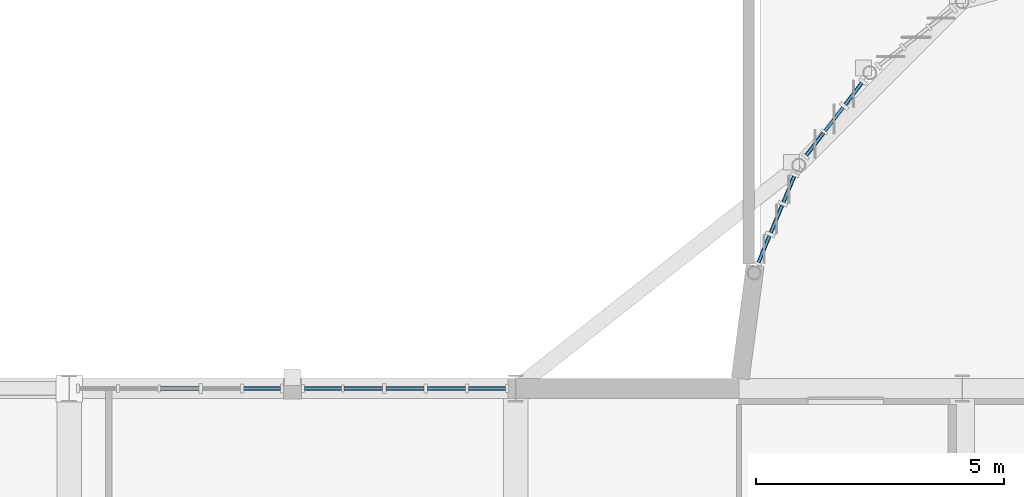
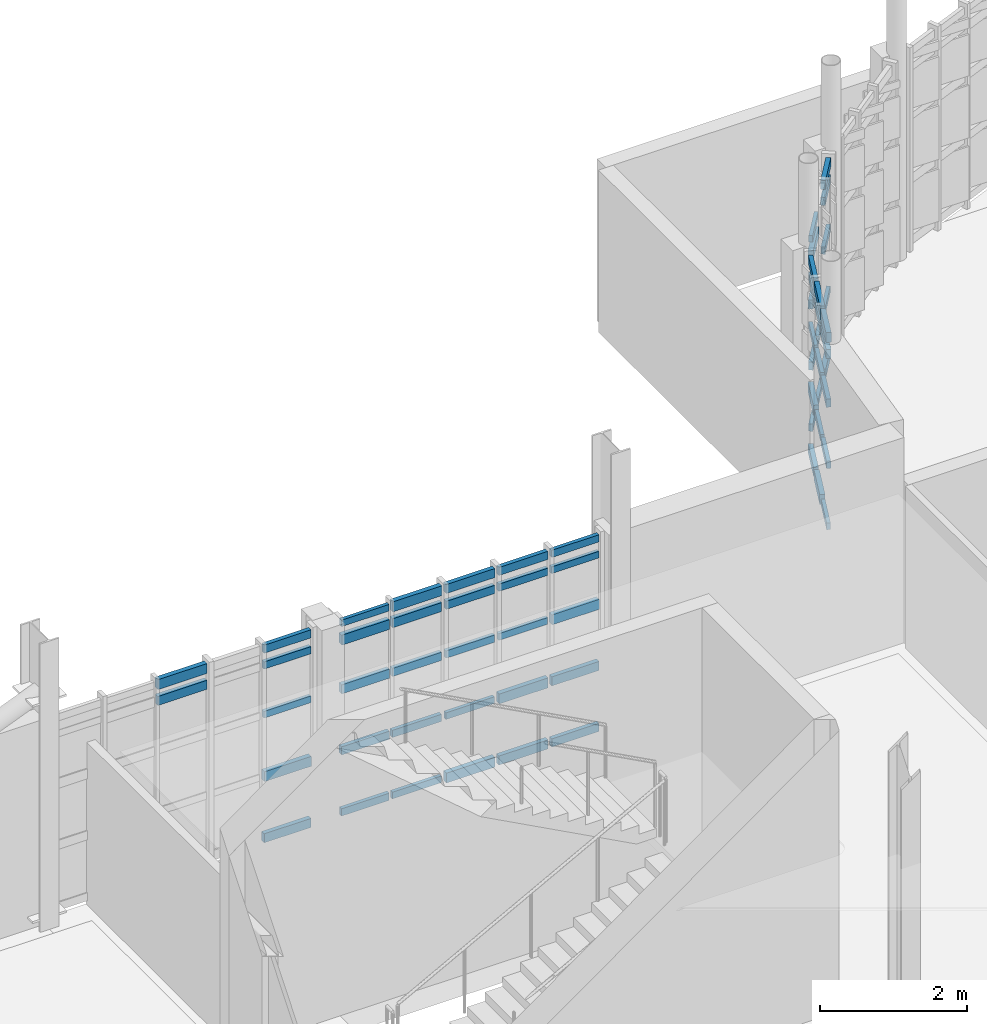
# One storey, part 65 of 128: 59 members, 4 elements without a shape of their own.
"""IFC4 building model written with IfcOpenShell, lengths in metres."""

from ifc_helpers import new_model, si_unit, direction, frame, origin, origin_2d, place, context, subcontext, project, spatial, rectangle, extrude, material, material_profile, profile_set, type_object, element, aggregate, save


model = new_model("IFC4")

# Units and contexts
model_context = context("Model", 3, precision=1e-05, world=origin(), true_north=direction((0.0, 1.0)))
body_context = subcontext(model_context, "Body", "Model", "MODEL_VIEW")
ifc_project = project(units=[si_unit("LENGTHUNIT", "METRE"), si_unit("AREAUNIT", "SQUARE_METRE"), si_unit("VOLUMEUNIT", "CUBIC_METRE"), si_unit("PLANEANGLEUNIT", "RADIAN"), si_unit("MASSUNIT", "GRAM", prefix="KILO")], contexts=[model_context])

# Site, building, storey
site_placement = place(None, origin())
site = spatial("IfcSite", under=ifc_project, at=site_placement, CompositionType="ELEMENT")
building_placement = place(site_placement, origin())
building = spatial("IfcBuilding", under=site, at=building_placement, Name="Serraforn Aerial Cableway Station", CompositionType="ELEMENT")
storey_placement = place(building_placement, frame((0.0, 0.0, 9.0)))
storey = spatial("IfcBuildingStorey", under=building, at=storey_placement, Name="L02", CompositionType="ELEMENT", Elevation=9.0)

# Curtain wall, members
ifc_material_1 = material(Name="Anodised bronze unitised curtain wall")
curtain_wall_type_1 = type_object("IfcCurtainWallType", Name="CW-SYS-17", PredefinedType="USERDEFINED", material=ifc_material_1)
curtain_wall_1_placement = place(storey_placement, origin())
curtain_wall_1 = element("IfcCurtainWall", 1, at=curtain_wall_1_placement, inside=storey, type_object=curtain_wall_type_1, Name="Unitised Curtain Wall CW-CV-L02-N2A", ObjectType="UNITISED CURTAIN WALL", PredefinedType="USERDEFINED")
ifc_material_2 = material(Name="Anodised bronze extruded aluminium", Category="aluminium")
ifc_material_profile_1 = material_profile(ifc_material_2, rectangle(XDim=0.054931640625, YDim=0.110107421875, at=origin_2d()), Name="CW TRANSOM 55x110")
ifc_profile_set_1 = profile_set([ifc_material_profile_1], Name="Anodised bronze extruded aluminium")
member_type_1 = type_object("IfcMemberType", Name="CW-TRN-1", PredefinedType="USERDEFINED", material=ifc_profile_set_1)
member_1_placement = place(storey_placement, frame((45.39404296875, 42.0, 3.009521484375), z_axis=(-1.0, 0.0, 0.0), x_axis=(0.0, -1.0, 0.0)))
member_1 = element("IfcMember", 2, at=member_1_placement, type_object=member_type_1, Name="Curtain Wall Transom CW-CV-L02-N2A-T1-4", ObjectType="TRANSOM", PredefinedType="USERDEFINED", context=body_context, shape_type="SweptSolid", body=[
    extrude(rectangle(XDim=0.054931640625, YDim=0.110107421875, at=origin_2d()), origin(), (0.0, 0.0, 1.0), 0.745849609375),
])
member_2_placement = place(storey_placement, frame((44.587158203125, 42.0, 2.188720703125), z_axis=(-1.0, 0.0, 0.0), x_axis=(0.0, -1.0, 0.0)))
member_2 = element("IfcMember", 3, at=member_2_placement, type_object=member_type_1, Name="Curtain Wall Transom CW-CV-L02-N2A-T2-3", ObjectType="TRANSOM", PredefinedType="USERDEFINED", context=body_context, shape_type="SweptSolid", body=[
    extrude(rectangle(XDim=0.054931640625, YDim=0.110107421875, at=origin_2d()), origin(), (0.0, 0.0, 1.0), 0.77099609375),
])
member_3_placement = place(storey_placement, frame((43.750244140625, 42.0, 1.162841796875), z_axis=(-1.0, 0.0, 0.0), x_axis=(0.0, -1.0, 0.0)))
member_3 = element("IfcMember", 4, at=member_3_placement, type_object=member_type_1, Name="Curtain Wall Transom CW-CV-L02-N2A-T3-2", ObjectType="TRANSOM", PredefinedType="USERDEFINED", context=body_context, shape_type="SweptSolid", body=[
    extrude(rectangle(XDim=0.054931640625, YDim=0.110107421875, at=origin_2d()), origin(), (0.0, 0.0, 1.0), 0.765869140625),
])
member_4_placement = place(storey_placement, frame((42.913330078125, 42.0, 0.13671875), z_axis=(-1.0, 0.0, 0.0), x_axis=(0.0, -1.0, 0.0)))
member_4 = element("IfcMember", 5, at=member_4_placement, type_object=member_type_1, Name="Curtain Wall Transom CW-CV-L02-N2A-T4-1", ObjectType="TRANSOM", PredefinedType="USERDEFINED", context=body_context, shape_type="SweptSolid", body=[
    extrude(rectangle(XDim=0.054931640625, YDim=0.110107421875, at=origin_2d()), origin(), (0.0, 0.0, 1.0), 0.7734375),
])
member_5_placement = place(storey_placement, frame((42.0888671875, 42.0, 3.283203125), z_axis=(-1.0, 0.0, 0.0), x_axis=(0.0, -1.0, 0.0)))
member_5 = element("IfcMember", 6, at=member_5_placement, type_object=member_type_1, Name="Curtain Wall Transom CW-CV-L02-N2A-T5-5", ObjectType="TRANSOM", PredefinedType="USERDEFINED", context=body_context, shape_type="SweptSolid", body=[
    extrude(rectangle(XDim=0.054931640625, YDim=0.110107421875, at=origin_2d()), origin(), (0.0, 0.0, 1.0), 0.7509765625),
])

# Curtain wall, member
curtain_wall_type_2 = type_object("IfcCurtainWallType", Name="CW-SYS-18", PredefinedType="USERDEFINED", material=ifc_material_1)
curtain_wall_2_placement = place(storey_placement, origin())
curtain_wall_2 = element("IfcCurtainWall", 7, at=curtain_wall_2_placement, inside=storey, type_object=curtain_wall_type_2, Name="Unitised Curtain Wall CW-CV-L02-N2B", ObjectType="UNITISED CURTAIN WALL", PredefinedType="USERDEFINED")
member_6_placement = place(storey_placement, frame((40.85693359375, 42.0, 2.188720703125), z_axis=(-1.0, 0.0, 0.0), x_axis=(0.0, -1.0, 0.0)))
member_6 = element("IfcMember", 8, at=member_6_placement, type_object=member_type_1, Name="Curtain Wall Transom CW-CV-L02-N2B-T1-3", ObjectType="TRANSOM", PredefinedType="USERDEFINED", context=body_context, shape_type="SweptSolid", body=[
    extrude(rectangle(XDim=0.054931640625, YDim=0.110107421875, at=origin_2d()), origin(), (0.0, 0.0, 1.0), 0.73828125),
])

# Curtain wall, members
curtain_wall_type_3 = type_object("IfcCurtainWallType", Name="CW-SYS-5", PredefinedType="USERDEFINED", material=ifc_material_1)
curtain_wall_3_placement = place(storey_placement, origin())
curtain_wall_3 = element("IfcCurtainWall", 9, at=curtain_wall_3_placement, inside=storey, type_object=curtain_wall_type_3, Name="Unitised Curtain Wall CW-AP-L02-R2", ObjectType="UNITISED CURTAIN WALL", PredefinedType="USERDEFINED")
member_7_placement = place(storey_placement, frame((51.214111328125, 46.27880859375, 2.188720703125), z_axis=(-0.38281873135, -0.923823478229, 0.0), x_axis=(0.923823478229, -0.38281873135, 0.0)))
member_7 = element("IfcMember", 10, at=member_7_placement, type_object=member_type_1, Name="Curtain Wall Transom CW-AP-L02-R2-T1-3", ObjectType="TRANSOM", PredefinedType="USERDEFINED", context=body_context, shape_type="SweptSolid", body=[
    extrude(rectangle(XDim=0.054931640625, YDim=0.110107421875, at=origin_2d()), origin(), (0.0, 0.0, 1.0), 0.569580078125),
])
member_8_placement = place(storey_placement, frame((50.970947265625, 45.691650390625, 1.162841796875), z_axis=(-0.382640634603, -0.923897258763, 0.0), x_axis=(0.923897258763, -0.382640634603, 0.0)))
member_8 = element("IfcMember", 11, at=member_8_placement, type_object=member_type_1, Name="Curtain Wall Transom CW-AP-L02-R2-T2-2", ObjectType="TRANSOM", PredefinedType="USERDEFINED", context=body_context, shape_type="SweptSolid", body=[
    extrude(rectangle(XDim=0.054931640625, YDim=0.110107421875, at=origin_2d()), origin(), (0.0, 0.0, 1.0), 0.59716796875),
])
member_9_placement = place(storey_placement, frame((50.71533203125, 45.074462890625, 0.13671875), z_axis=(-0.382812533078, -0.923826046677, 0.0), x_axis=(0.923826046677, -0.382812533078, 0.0)))
member_9 = element("IfcMember", 12, at=member_9_placement, type_object=member_type_1, Name="Curtain Wall Transom CW-AP-L02-R2-T3-1", ObjectType="TRANSOM", PredefinedType="USERDEFINED", context=body_context, shape_type="SweptSolid", body=[
    extrude(rectangle(XDim=0.054931640625, YDim=0.110107421875, at=origin_2d()), origin(), (0.0, 0.0, 1.0), 0.5771484375),
])

curtain_wall_type_4 = type_object("IfcCurtainWallType", Name="CW-SYS-6", PredefinedType="USERDEFINED", material=ifc_material_1)
curtain_wall_4_placement = place(storey_placement, origin())
curtain_wall_4 = element("IfcCurtainWall", 13, at=curtain_wall_4_placement, inside=storey, type_object=curtain_wall_type_4, Name="Unitised Curtain Wall CW-AP-L02-R3", ObjectType="UNITISED CURTAIN WALL", PredefinedType="USERDEFINED")
member_10_placement = place(storey_placement, frame((52.579345703125, 48.159912109375, 1.162841796875), z_axis=(-0.608644483431, -0.793443062096, 0.0), x_axis=(0.793443062096, -0.608644483431, 0.0)))
member_10 = element("IfcMember", 14, at=member_10_placement, type_object=member_type_1, Name="Curtain Wall Transom CW-AP-L02-R3-T1-2", ObjectType="TRANSOM", PredefinedType="USERDEFINED", context=body_context, shape_type="SweptSolid", body=[
    extrude(rectangle(XDim=0.054931640625, YDim=0.110107421875, at=origin_2d()), origin(), (0.0, 0.0, 1.0), 0.553466796875),
])
member_11_placement = place(storey_placement, frame((52.19921875, 47.664306640625, 0.13671875), z_axis=(-0.608878752657, -0.793263300905, 0.0), x_axis=(0.793263300905, -0.608878752657, 0.0)))
member_11 = element("IfcMember", 15, at=member_11_placement, type_object=member_type_1, Name="Curtain Wall Transom CW-AP-L02-R3-T2-1", ObjectType="TRANSOM", PredefinedType="USERDEFINED", context=body_context, shape_type="SweptSolid", body=[
    extrude(rectangle(XDim=0.054931640625, YDim=0.110107421875, at=origin_2d()), origin(), (0.0, 0.0, 1.0), 0.595947265625),
])
member_12_placement = place(storey_placement, frame((51.805419921875, 47.151123046875, 3.283203125), z_axis=(-0.608887333307, -0.793256714651, 0.0), x_axis=(0.793256714651, -0.608887333307, 0.0)))
member_12 = element("IfcMember", 16, at=member_12_placement, type_object=member_type_1, Name="Curtain Wall Transom CW-AP-L02-R3-T3-5", ObjectType="TRANSOM", PredefinedType="USERDEFINED", context=body_context, shape_type="SweptSolid", body=[
    extrude(rectangle(XDim=0.054931640625, YDim=0.110107421875, at=origin_2d()), origin(), (0.0, 0.0, 1.0), 0.573486328125),
])

# Member
ifc_material_profile_2 = material_profile(ifc_material_2, rectangle(XDim=0.06005859375, YDim=0.1201171875, at=origin_2d()), Name="CW TRANSOM 60x120")
ifc_profile_set_2 = profile_set([ifc_material_profile_2], Name="Anodised bronze extruded aluminium")
member_type_2 = type_object("IfcMemberType", Name="CW-TRN-2", PredefinedType="USERDEFINED", material=ifc_profile_set_2)
member_13_placement = place(storey_placement, frame((45.39404296875, 42.0, 3.283203125), z_axis=(-1.0, 0.0, 0.0), x_axis=(0.0, -1.0, 0.0)))
member_13 = element("IfcMember", 17, at=member_13_placement, type_object=member_type_2, Name="Curtain Wall Transom CW-CV-L02-N2A-T1-5", ObjectType="TRANSOM", PredefinedType="USERDEFINED", context=body_context, shape_type="SweptSolid", body=[
    extrude(rectangle(XDim=0.06005859375, YDim=0.1201171875, at=origin_2d()), origin(), (0.0, 0.0, 1.0), 0.745849609375),
])

member_14_placement = place(storey_placement, frame((44.587158203125, 42.0, 3.009521484375), z_axis=(-1.0, 0.0, 0.0), x_axis=(0.0, -1.0, 0.0)))
member_14 = element("IfcMember", 18, at=member_14_placement, type_object=member_type_2, Name="Curtain Wall Transom CW-CV-L02-N2A-T2-4", ObjectType="TRANSOM", PredefinedType="USERDEFINED", context=body_context, shape_type="SweptSolid", body=[
    extrude(rectangle(XDim=0.06005859375, YDim=0.1201171875, at=origin_2d()), origin(), (0.0, 0.0, 1.0), 0.77099609375),
])

member_15_placement = place(storey_placement, frame((43.750244140625, 42.0, 2.188720703125), z_axis=(-1.0, 0.0, 0.0), x_axis=(0.0, -1.0, 0.0)))
member_15 = element("IfcMember", 19, at=member_15_placement, type_object=member_type_2, Name="Curtain Wall Transom CW-CV-L02-N2A-T3-3", ObjectType="TRANSOM", PredefinedType="USERDEFINED", context=body_context, shape_type="SweptSolid", body=[
    extrude(rectangle(XDim=0.06005859375, YDim=0.1201171875, at=origin_2d()), origin(), (0.0, 0.0, 1.0), 0.765869140625),
])

member_16_placement = place(storey_placement, frame((42.913330078125, 42.0, 1.162841796875), z_axis=(-1.0, 0.0, 0.0), x_axis=(0.0, -1.0, 0.0)))
member_16 = element("IfcMember", 20, at=member_16_placement, type_object=member_type_2, Name="Curtain Wall Transom CW-CV-L02-N2A-T4-2", ObjectType="TRANSOM", PredefinedType="USERDEFINED", context=body_context, shape_type="SweptSolid", body=[
    extrude(rectangle(XDim=0.06005859375, YDim=0.1201171875, at=origin_2d()), origin(), (0.0, 0.0, 1.0), 0.7734375),
])

member_17_placement = place(storey_placement, frame((42.0888671875, 42.0, 0.13671875), z_axis=(-1.0, 0.0, 0.0), x_axis=(0.0, -1.0, 0.0)))
member_17 = element("IfcMember", 21, at=member_17_placement, type_object=member_type_2, Name="Curtain Wall Transom CW-CV-L02-N2A-T5-1", ObjectType="TRANSOM", PredefinedType="USERDEFINED", context=body_context, shape_type="SweptSolid", body=[
    extrude(rectangle(XDim=0.06005859375, YDim=0.1201171875, at=origin_2d()), origin(), (0.0, 0.0, 1.0), 0.7509765625),
])

member_18_placement = place(storey_placement, frame((40.85693359375, 42.0, 3.009521484375), z_axis=(-1.0, 0.0, 0.0), x_axis=(0.0, -1.0, 0.0)))
member_18 = element("IfcMember", 22, at=member_18_placement, type_object=member_type_2, Name="Curtain Wall Transom CW-CV-L02-N2B-T1-4", ObjectType="TRANSOM", PredefinedType="USERDEFINED", context=body_context, shape_type="SweptSolid", body=[
    extrude(rectangle(XDim=0.06005859375, YDim=0.1201171875, at=origin_2d()), origin(), (0.0, 0.0, 1.0), 0.73828125),
])

member_19_placement = place(storey_placement, frame((51.214111328125, 46.27880859375, 3.009521484375), z_axis=(-0.38281873135, -0.923823478229, 0.0), x_axis=(0.923823478229, -0.38281873135, 0.0)))
member_19 = element("IfcMember", 23, at=member_19_placement, type_object=member_type_2, Name="Curtain Wall Transom CW-AP-L02-R2-T1-4", ObjectType="TRANSOM", PredefinedType="USERDEFINED", context=body_context, shape_type="SweptSolid", body=[
    extrude(rectangle(XDim=0.06005859375, YDim=0.1201171875, at=origin_2d()), origin(), (0.0, 0.0, 1.0), 0.569580078125),
])

member_20_placement = place(storey_placement, frame((50.970947265625, 45.691650390625, 2.188720703125), z_axis=(-0.382640634603, -0.923897258763, 0.0), x_axis=(0.923897258763, -0.382640634603, 0.0)))
member_20 = element("IfcMember", 24, at=member_20_placement, type_object=member_type_2, Name="Curtain Wall Transom CW-AP-L02-R2-T2-3", ObjectType="TRANSOM", PredefinedType="USERDEFINED", context=body_context, shape_type="SweptSolid", body=[
    extrude(rectangle(XDim=0.06005859375, YDim=0.1201171875, at=origin_2d()), origin(), (0.0, 0.0, 1.0), 0.59716796875),
])

member_21_placement = place(storey_placement, frame((50.71533203125, 45.074462890625, 1.162841796875), z_axis=(-0.382812533078, -0.923826046677, 0.0), x_axis=(0.923826046677, -0.382812533078, 0.0)))
member_21 = element("IfcMember", 25, at=member_21_placement, type_object=member_type_2, Name="Curtain Wall Transom CW-AP-L02-R2-T3-2", ObjectType="TRANSOM", PredefinedType="USERDEFINED", context=body_context, shape_type="SweptSolid", body=[
    extrude(rectangle(XDim=0.06005859375, YDim=0.1201171875, at=origin_2d()), origin(), (0.0, 0.0, 1.0), 0.5771484375),
])

member_22_placement = place(storey_placement, frame((52.579345703125, 48.159912109375, 2.188720703125), z_axis=(-0.608644483431, -0.793443062096, 0.0), x_axis=(0.793443062096, -0.608644483431, 0.0)))
member_22 = element("IfcMember", 26, at=member_22_placement, type_object=member_type_2, Name="Curtain Wall Transom CW-AP-L02-R3-T1-3", ObjectType="TRANSOM", PredefinedType="USERDEFINED", context=body_context, shape_type="SweptSolid", body=[
    extrude(rectangle(XDim=0.06005859375, YDim=0.1201171875, at=origin_2d()), origin(), (0.0, 0.0, 1.0), 0.553466796875),
])

member_23_placement = place(storey_placement, frame((52.19921875, 47.664306640625, 1.162841796875), z_axis=(-0.608878752657, -0.793263300905, 0.0), x_axis=(0.793263300905, -0.608878752657, 0.0)))
member_23 = element("IfcMember", 27, at=member_23_placement, type_object=member_type_2, Name="Curtain Wall Transom CW-AP-L02-R3-T2-2", ObjectType="TRANSOM", PredefinedType="USERDEFINED", context=body_context, shape_type="SweptSolid", body=[
    extrude(rectangle(XDim=0.06005859375, YDim=0.1201171875, at=origin_2d()), origin(), (0.0, 0.0, 1.0), 0.595947265625),
])

member_24_placement = place(storey_placement, frame((51.805419921875, 47.151123046875, 0.13671875), z_axis=(-0.608887333307, -0.793256714651, 0.0), x_axis=(0.793256714651, -0.608887333307, 0.0)))
member_24 = element("IfcMember", 28, at=member_24_placement, type_object=member_type_2, Name="Curtain Wall Transom CW-AP-L02-R3-T3-1", ObjectType="TRANSOM", PredefinedType="USERDEFINED", context=body_context, shape_type="SweptSolid", body=[
    extrude(rectangle(XDim=0.06005859375, YDim=0.1201171875, at=origin_2d()), origin(), (0.0, 0.0, 1.0), 0.573486328125),
])

ifc_material_profile_3 = material_profile(ifc_material_2, rectangle(XDim=0.06494140625, YDim=0.135009765625, at=origin_2d()), Name="CW TRANSOM 65x135")
ifc_profile_set_3 = profile_set([ifc_material_profile_3], Name="Anodised bronze extruded aluminium")
member_type_3 = type_object("IfcMemberType", Name="CW-TRN-3", PredefinedType="USERDEFINED", material=ifc_profile_set_3)
member_25_placement = place(storey_placement, frame((45.39404296875, 42.0, 0.13671875), z_axis=(-1.0, 0.0, 0.0), x_axis=(0.0, -1.0, 0.0)))
member_25 = element("IfcMember", 29, at=member_25_placement, type_object=member_type_3, Name="Curtain Wall Transom CW-CV-L02-N2A-T1-1", ObjectType="TRANSOM", PredefinedType="USERDEFINED", context=body_context, shape_type="SweptSolid", body=[
    extrude(rectangle(XDim=0.06494140625, YDim=0.135009765625, at=origin_2d()), origin(), (0.0, 0.0, 1.0), 0.745849609375),
])

member_26_placement = place(storey_placement, frame((44.587158203125, 42.0, 3.283203125), z_axis=(-1.0, 0.0, 0.0), x_axis=(0.0, -1.0, 0.0)))
member_26 = element("IfcMember", 30, at=member_26_placement, type_object=member_type_3, Name="Curtain Wall Transom CW-CV-L02-N2A-T2-5", ObjectType="TRANSOM", PredefinedType="USERDEFINED", context=body_context, shape_type="SweptSolid", body=[
    extrude(rectangle(XDim=0.06494140625, YDim=0.135009765625, at=origin_2d()), origin(), (0.0, 0.0, 1.0), 0.77099609375),
])

member_27_placement = place(storey_placement, frame((43.750244140625, 42.0, 3.009521484375), z_axis=(-1.0, 0.0, 0.0), x_axis=(0.0, -1.0, 0.0)))
member_27 = element("IfcMember", 31, at=member_27_placement, type_object=member_type_3, Name="Curtain Wall Transom CW-CV-L02-N2A-T3-4", ObjectType="TRANSOM", PredefinedType="USERDEFINED", context=body_context, shape_type="SweptSolid", body=[
    extrude(rectangle(XDim=0.06494140625, YDim=0.135009765625, at=origin_2d()), origin(), (0.0, 0.0, 1.0), 0.765869140625),
])

member_28_placement = place(storey_placement, frame((42.913330078125, 42.0, 2.188720703125), z_axis=(-1.0, 0.0, 0.0), x_axis=(0.0, -1.0, 0.0)))
member_28 = element("IfcMember", 32, at=member_28_placement, type_object=member_type_3, Name="Curtain Wall Transom CW-CV-L02-N2A-T4-3", ObjectType="TRANSOM", PredefinedType="USERDEFINED", context=body_context, shape_type="SweptSolid", body=[
    extrude(rectangle(XDim=0.06494140625, YDim=0.135009765625, at=origin_2d()), origin(), (0.0, 0.0, 1.0), 0.7734375),
])

member_29_placement = place(storey_placement, frame((42.0888671875, 42.0, 1.162841796875), z_axis=(-1.0, 0.0, 0.0), x_axis=(0.0, -1.0, 0.0)))
member_29 = element("IfcMember", 33, at=member_29_placement, type_object=member_type_3, Name="Curtain Wall Transom CW-CV-L02-N2A-T5-2", ObjectType="TRANSOM", PredefinedType="USERDEFINED", context=body_context, shape_type="SweptSolid", body=[
    extrude(rectangle(XDim=0.06494140625, YDim=0.135009765625, at=origin_2d()), origin(), (0.0, 0.0, 1.0), 0.7509765625),
])

member_30_placement = place(storey_placement, frame((40.85693359375, 42.0, 3.283203125), z_axis=(-1.0, 0.0, 0.0), x_axis=(0.0, -1.0, 0.0)))
member_30 = element("IfcMember", 34, at=member_30_placement, type_object=member_type_3, Name="Curtain Wall Transom CW-CV-L02-N2B-T1-5", ObjectType="TRANSOM", PredefinedType="USERDEFINED", context=body_context, shape_type="SweptSolid", body=[
    extrude(rectangle(XDim=0.06494140625, YDim=0.135009765625, at=origin_2d()), origin(), (0.0, 0.0, 1.0), 0.73828125),
])

member_31_placement = place(storey_placement, frame((51.214111328125, 46.27880859375, 3.283203125), z_axis=(-0.38281873135, -0.923823478229, 0.0), x_axis=(0.923823478229, -0.38281873135, 0.0)))
member_31 = element("IfcMember", 35, at=member_31_placement, type_object=member_type_3, Name="Curtain Wall Transom CW-AP-L02-R2-T1-5", ObjectType="TRANSOM", PredefinedType="USERDEFINED", context=body_context, shape_type="SweptSolid", body=[
    extrude(rectangle(XDim=0.06494140625, YDim=0.135009765625, at=origin_2d()), origin(), (0.0, 0.0, 1.0), 0.569580078125),
])

member_32_placement = place(storey_placement, frame((50.970947265625, 45.691650390625, 3.009521484375), z_axis=(-0.382640634603, -0.923897258763, 0.0), x_axis=(0.923897258763, -0.382640634603, 0.0)))
member_32 = element("IfcMember", 36, at=member_32_placement, type_object=member_type_3, Name="Curtain Wall Transom CW-AP-L02-R2-T2-4", ObjectType="TRANSOM", PredefinedType="USERDEFINED", context=body_context, shape_type="SweptSolid", body=[
    extrude(rectangle(XDim=0.06494140625, YDim=0.135009765625, at=origin_2d()), origin(), (0.0, 0.0, 1.0), 0.59716796875),
])

member_33_placement = place(storey_placement, frame((50.71533203125, 45.074462890625, 2.188720703125), z_axis=(-0.382812533078, -0.923826046677, 0.0), x_axis=(0.923826046677, -0.382812533078, 0.0)))
member_33 = element("IfcMember", 37, at=member_33_placement, type_object=member_type_3, Name="Curtain Wall Transom CW-AP-L02-R2-T3-3", ObjectType="TRANSOM", PredefinedType="USERDEFINED", context=body_context, shape_type="SweptSolid", body=[
    extrude(rectangle(XDim=0.06494140625, YDim=0.135009765625, at=origin_2d()), origin(), (0.0, 0.0, 1.0), 0.5771484375),
])

member_34_placement = place(storey_placement, frame((52.579345703125, 48.159912109375, 3.009521484375), z_axis=(-0.608644483431, -0.793443062096, 0.0), x_axis=(0.793443062096, -0.608644483431, 0.0)))
member_34 = element("IfcMember", 38, at=member_34_placement, type_object=member_type_3, Name="Curtain Wall Transom CW-AP-L02-R3-T1-4", ObjectType="TRANSOM", PredefinedType="USERDEFINED", context=body_context, shape_type="SweptSolid", body=[
    extrude(rectangle(XDim=0.06494140625, YDim=0.135009765625, at=origin_2d()), origin(), (0.0, 0.0, 1.0), 0.553466796875),
])

member_35_placement = place(storey_placement, frame((51.805419921875, 47.151123046875, 1.162841796875), z_axis=(-0.608887333307, -0.793256714651, 0.0), x_axis=(0.793256714651, -0.608887333307, 0.0)))
member_35 = element("IfcMember", 39, at=member_35_placement, type_object=member_type_3, Name="Curtain Wall Transom CW-AP-L02-R3-T3-2", ObjectType="TRANSOM", PredefinedType="USERDEFINED", context=body_context, shape_type="SweptSolid", body=[
    extrude(rectangle(XDim=0.06494140625, YDim=0.135009765625, at=origin_2d()), origin(), (0.0, 0.0, 1.0), 0.573486328125),
])

ifc_material_profile_4 = material_profile(ifc_material_2, rectangle(XDim=0.070068359375, YDim=0.14990234375, at=origin_2d()), Name="CW TRANSOM 70x150")
ifc_profile_set_4 = profile_set([ifc_material_profile_4], Name="Anodised bronze extruded aluminium")
member_type_4 = type_object("IfcMemberType", Name="CW-TRN-4", PredefinedType="USERDEFINED", material=ifc_profile_set_4)
member_36_placement = place(storey_placement, frame((45.39404296875, 42.0, 1.162841796875), z_axis=(-1.0, 0.0, 0.0), x_axis=(0.0, -1.0, 0.0)))
member_36 = element("IfcMember", 40, at=member_36_placement, type_object=member_type_4, Name="Curtain Wall Transom CW-CV-L02-N2A-T1-2", ObjectType="TRANSOM", PredefinedType="USERDEFINED", context=body_context, shape_type="SweptSolid", body=[
    extrude(rectangle(XDim=0.070068359375, YDim=0.14990234375, at=origin_2d()), origin(), (0.0, 0.0, 1.0), 0.745849609375),
])

member_37_placement = place(storey_placement, frame((44.587158203125, 42.0, 0.13671875), z_axis=(-1.0, 0.0, 0.0), x_axis=(0.0, -1.0, 0.0)))
member_37 = element("IfcMember", 41, at=member_37_placement, type_object=member_type_4, Name="Curtain Wall Transom CW-CV-L02-N2A-T2-1", ObjectType="TRANSOM", PredefinedType="USERDEFINED", context=body_context, shape_type="SweptSolid", body=[
    extrude(rectangle(XDim=0.070068359375, YDim=0.14990234375, at=origin_2d()), origin(), (0.0, 0.0, 1.0), 0.77099609375),
])

member_38_placement = place(storey_placement, frame((43.750244140625, 42.0, 3.283203125), z_axis=(-1.0, 0.0, 0.0), x_axis=(0.0, -1.0, 0.0)))
member_38 = element("IfcMember", 42, at=member_38_placement, type_object=member_type_4, Name="Curtain Wall Transom CW-CV-L02-N2A-T3-5", ObjectType="TRANSOM", PredefinedType="USERDEFINED", context=body_context, shape_type="SweptSolid", body=[
    extrude(rectangle(XDim=0.070068359375, YDim=0.14990234375, at=origin_2d()), origin(), (0.0, 0.0, 1.0), 0.765869140625),
])

member_39_placement = place(storey_placement, frame((42.913330078125, 42.0, 3.009521484375), z_axis=(-1.0, 0.0, 0.0), x_axis=(0.0, -1.0, 0.0)))
member_39 = element("IfcMember", 43, at=member_39_placement, type_object=member_type_4, Name="Curtain Wall Transom CW-CV-L02-N2A-T4-4", ObjectType="TRANSOM", PredefinedType="USERDEFINED", context=body_context, shape_type="SweptSolid", body=[
    extrude(rectangle(XDim=0.070068359375, YDim=0.14990234375, at=origin_2d()), origin(), (0.0, 0.0, 1.0), 0.7734375),
])

member_40_placement = place(storey_placement, frame((42.0888671875, 42.0, 2.188720703125), z_axis=(-1.0, 0.0, 0.0), x_axis=(0.0, -1.0, 0.0)))
member_40 = element("IfcMember", 44, at=member_40_placement, type_object=member_type_4, Name="Curtain Wall Transom CW-CV-L02-N2A-T5-3", ObjectType="TRANSOM", PredefinedType="USERDEFINED", context=body_context, shape_type="SweptSolid", body=[
    extrude(rectangle(XDim=0.070068359375, YDim=0.14990234375, at=origin_2d()), origin(), (0.0, 0.0, 1.0), 0.7509765625),
])

member_41_placement = place(storey_placement, frame((40.85693359375, 42.0, 0.13671875), z_axis=(-1.0, 0.0, 0.0), x_axis=(0.0, -1.0, 0.0)))
member_41 = element("IfcMember", 45, at=member_41_placement, type_object=member_type_4, Name="Curtain Wall Transom CW-CV-L02-N2B-T1-1", ObjectType="TRANSOM", PredefinedType="USERDEFINED", context=body_context, shape_type="SweptSolid", body=[
    extrude(rectangle(XDim=0.070068359375, YDim=0.14990234375, at=origin_2d()), origin(), (0.0, 0.0, 1.0), 0.73828125),
])

member_42_placement = place(storey_placement, frame((39.2158203125, 42.0, 3.009521484375), z_axis=(-1.0, 0.0, 0.0), x_axis=(0.0, -1.0, 0.0)))
member_42 = element("IfcMember", 46, at=member_42_placement, type_object=member_type_4, Name="Curtain Wall Transom CW-CV-L02-N2B-T3-4", ObjectType="TRANSOM", PredefinedType="USERDEFINED", context=body_context, shape_type="SweptSolid", body=[
    extrude(rectangle(XDim=0.070068359375, YDim=0.14990234375, at=origin_2d()), origin(), (0.0, 0.0, 1.0), 0.7734375),
])

member_43_placement = place(storey_placement, frame((51.214111328125, 46.27880859375, 0.13671875), z_axis=(-0.38281873135, -0.923823478229, 0.0), x_axis=(0.923823478229, -0.38281873135, 0.0)))
member_43 = element("IfcMember", 47, at=member_43_placement, type_object=member_type_4, Name="Curtain Wall Transom CW-AP-L02-R2-T1-1", ObjectType="TRANSOM", PredefinedType="USERDEFINED", context=body_context, shape_type="SweptSolid", body=[
    extrude(rectangle(XDim=0.070068359375, YDim=0.14990234375, at=origin_2d()), origin(), (0.0, 0.0, 1.0), 0.569580078125),
])

member_44_placement = place(storey_placement, frame((50.970947265625, 45.691650390625, 3.283203125), z_axis=(-0.382640634603, -0.923897258763, 0.0), x_axis=(0.923897258763, -0.382640634603, 0.0)))
member_44 = element("IfcMember", 48, at=member_44_placement, type_object=member_type_4, Name="Curtain Wall Transom CW-AP-L02-R2-T2-5", ObjectType="TRANSOM", PredefinedType="USERDEFINED", context=body_context, shape_type="SweptSolid", body=[
    extrude(rectangle(XDim=0.070068359375, YDim=0.14990234375, at=origin_2d()), origin(), (0.0, 0.0, 1.0), 0.59716796875),
])

member_45_placement = place(storey_placement, frame((50.71533203125, 45.074462890625, 3.009521484375), z_axis=(-0.382812533078, -0.923826046677, 0.0), x_axis=(0.923826046677, -0.382812533078, 0.0)))
member_45 = element("IfcMember", 49, at=member_45_placement, type_object=member_type_4, Name="Curtain Wall Transom CW-AP-L02-R2-T3-4", ObjectType="TRANSOM", PredefinedType="USERDEFINED", context=body_context, shape_type="SweptSolid", body=[
    extrude(rectangle(XDim=0.070068359375, YDim=0.14990234375, at=origin_2d()), origin(), (0.0, 0.0, 1.0), 0.5771484375),
])

member_46_placement = place(storey_placement, frame((52.579345703125, 48.159912109375, 3.283203125), z_axis=(-0.608644483431, -0.793443062096, 0.0), x_axis=(0.793443062096, -0.608644483431, 0.0)))
member_46 = element("IfcMember", 50, at=member_46_placement, type_object=member_type_4, Name="Curtain Wall Transom CW-AP-L02-R3-T1-5", ObjectType="TRANSOM", PredefinedType="USERDEFINED", context=body_context, shape_type="SweptSolid", body=[
    extrude(rectangle(XDim=0.070068359375, YDim=0.14990234375, at=origin_2d()), origin(), (0.0, 0.0, 1.0), 0.553466796875),
])

member_47_placement = place(storey_placement, frame((51.805419921875, 47.151123046875, 2.188720703125), z_axis=(-0.608887333307, -0.793256714651, 0.0), x_axis=(0.793256714651, -0.608887333307, 0.0)))
member_47 = element("IfcMember", 51, at=member_47_placement, type_object=member_type_4, Name="Curtain Wall Transom CW-AP-L02-R3-T3-3", ObjectType="TRANSOM", PredefinedType="USERDEFINED", context=body_context, shape_type="SweptSolid", body=[
    extrude(rectangle(XDim=0.070068359375, YDim=0.14990234375, at=origin_2d()), origin(), (0.0, 0.0, 1.0), 0.573486328125),
])

ifc_material_profile_5 = material_profile(ifc_material_2, rectangle(XDim=0.074951171875, YDim=0.1650390625, at=origin_2d()), Name="CW TRANSOM 75x165")
ifc_profile_set_5 = profile_set([ifc_material_profile_5], Name="Anodised bronze extruded aluminium")
member_type_5 = type_object("IfcMemberType", Name="CW-TRN-5", PredefinedType="USERDEFINED", material=ifc_profile_set_5)
member_48_placement = place(storey_placement, frame((45.39404296875, 42.0, 2.188720703125), z_axis=(-1.0, 0.0, 0.0), x_axis=(0.0, -1.0, 0.0)))
member_48 = element("IfcMember", 52, at=member_48_placement, type_object=member_type_5, Name="Curtain Wall Transom CW-CV-L02-N2A-T1-3", ObjectType="TRANSOM", PredefinedType="USERDEFINED", context=body_context, shape_type="SweptSolid", body=[
    extrude(rectangle(XDim=0.074951171875, YDim=0.1650390625, at=origin_2d()), origin(), (0.0, 0.0, 1.0), 0.745849609375),
])

member_49_placement = place(storey_placement, frame((44.587158203125, 42.0, 1.162841796875), z_axis=(-1.0, 0.0, 0.0), x_axis=(0.0, -1.0, 0.0)))
member_49 = element("IfcMember", 53, at=member_49_placement, type_object=member_type_5, Name="Curtain Wall Transom CW-CV-L02-N2A-T2-2", ObjectType="TRANSOM", PredefinedType="USERDEFINED", context=body_context, shape_type="SweptSolid", body=[
    extrude(rectangle(XDim=0.074951171875, YDim=0.1650390625, at=origin_2d()), origin(), (0.0, 0.0, 1.0), 0.77099609375),
])

member_50_placement = place(storey_placement, frame((43.750244140625, 42.0, 0.13671875), z_axis=(-1.0, 0.0, 0.0), x_axis=(0.0, -1.0, 0.0)))
member_50 = element("IfcMember", 54, at=member_50_placement, type_object=member_type_5, Name="Curtain Wall Transom CW-CV-L02-N2A-T3-1", ObjectType="TRANSOM", PredefinedType="USERDEFINED", context=body_context, shape_type="SweptSolid", body=[
    extrude(rectangle(XDim=0.074951171875, YDim=0.1650390625, at=origin_2d()), origin(), (0.0, 0.0, 1.0), 0.765869140625),
])

member_51_placement = place(storey_placement, frame((42.913330078125, 42.0, 3.283203125), z_axis=(-1.0, 0.0, 0.0), x_axis=(0.0, -1.0, 0.0)))
member_51 = element("IfcMember", 55, at=member_51_placement, type_object=member_type_5, Name="Curtain Wall Transom CW-CV-L02-N2A-T4-5", ObjectType="TRANSOM", PredefinedType="USERDEFINED", context=body_context, shape_type="SweptSolid", body=[
    extrude(rectangle(XDim=0.074951171875, YDim=0.1650390625, at=origin_2d()), origin(), (0.0, 0.0, 1.0), 0.7734375),
])

member_52_placement = place(storey_placement, frame((42.0888671875, 42.0, 3.009521484375), z_axis=(-1.0, 0.0, 0.0), x_axis=(0.0, -1.0, 0.0)))
member_52 = element("IfcMember", 56, at=member_52_placement, type_object=member_type_5, Name="Curtain Wall Transom CW-CV-L02-N2A-T5-4", ObjectType="TRANSOM", PredefinedType="USERDEFINED", context=body_context, shape_type="SweptSolid", body=[
    extrude(rectangle(XDim=0.074951171875, YDim=0.1650390625, at=origin_2d()), origin(), (0.0, 0.0, 1.0), 0.7509765625),
])

aggregate(curtain_wall_1, [member_25, member_36, member_48, member_1, member_13, member_37, member_49, member_2, member_14, member_26, member_50, member_3, member_15, member_27, member_38, member_4, member_16, member_28, member_39, member_51, member_17, member_29, member_40, member_52, member_5])

member_53_placement = place(storey_placement, frame((40.85693359375, 42.0, 1.162841796875), z_axis=(-1.0, 0.0, 0.0), x_axis=(0.0, -1.0, 0.0)))
member_53 = element("IfcMember", 57, at=member_53_placement, type_object=member_type_5, Name="Curtain Wall Transom CW-CV-L02-N2B-T1-2", ObjectType="TRANSOM", PredefinedType="USERDEFINED", context=body_context, shape_type="SweptSolid", body=[
    extrude(rectangle(XDim=0.074951171875, YDim=0.1650390625, at=origin_2d()), origin(), (0.0, 0.0, 1.0), 0.73828125),
])

member_54_placement = place(storey_placement, frame((39.2158203125, 42.0, 3.283203125), z_axis=(-1.0, 0.0, 0.0), x_axis=(0.0, -1.0, 0.0)))
member_54 = element("IfcMember", 58, at=member_54_placement, type_object=member_type_5, Name="Curtain Wall Transom CW-CV-L02-N2B-T3-5", ObjectType="TRANSOM", PredefinedType="USERDEFINED", context=body_context, shape_type="SweptSolid", body=[
    extrude(rectangle(XDim=0.074951171875, YDim=0.1650390625, at=origin_2d()), origin(), (0.0, 0.0, 1.0), 0.7734375),
])

aggregate(curtain_wall_2, [member_41, member_53, member_6, member_18, member_30, member_42, member_54])

member_55_placement = place(storey_placement, frame((51.214111328125, 46.27880859375, 1.162841796875), z_axis=(-0.38281873135, -0.923823478229, 0.0), x_axis=(0.923823478229, -0.38281873135, 0.0)))
member_55 = element("IfcMember", 59, at=member_55_placement, type_object=member_type_5, Name="Curtain Wall Transom CW-AP-L02-R2-T1-2", ObjectType="TRANSOM", PredefinedType="USERDEFINED", context=body_context, shape_type="SweptSolid", body=[
    extrude(rectangle(XDim=0.074951171875, YDim=0.1650390625, at=origin_2d()), origin(), (0.0, 0.0, 1.0), 0.569580078125),
])

member_56_placement = place(storey_placement, frame((50.970947265625, 45.691650390625, 0.13671875), z_axis=(-0.382640634603, -0.923897258763, 0.0), x_axis=(0.923897258763, -0.382640634603, 0.0)))
member_56 = element("IfcMember", 60, at=member_56_placement, type_object=member_type_5, Name="Curtain Wall Transom CW-AP-L02-R2-T2-1", ObjectType="TRANSOM", PredefinedType="USERDEFINED", context=body_context, shape_type="SweptSolid", body=[
    extrude(rectangle(XDim=0.074951171875, YDim=0.1650390625, at=origin_2d()), origin(), (0.0, 0.0, 1.0), 0.59716796875),
])

member_57_placement = place(storey_placement, frame((50.71533203125, 45.074462890625, 3.283203125), z_axis=(-0.382812533078, -0.923826046677, 0.0), x_axis=(0.923826046677, -0.382812533078, 0.0)))
member_57 = element("IfcMember", 61, at=member_57_placement, type_object=member_type_5, Name="Curtain Wall Transom CW-AP-L02-R2-T3-5", ObjectType="TRANSOM", PredefinedType="USERDEFINED", context=body_context, shape_type="SweptSolid", body=[
    extrude(rectangle(XDim=0.074951171875, YDim=0.1650390625, at=origin_2d()), origin(), (0.0, 0.0, 1.0), 0.5771484375),
])

aggregate(curtain_wall_3, [member_43, member_55, member_7, member_19, member_31, member_56, member_8, member_20, member_32, member_44, member_9, member_21, member_33, member_45, member_57])

member_58_placement = place(storey_placement, frame((52.579345703125, 48.159912109375, 0.13671875), z_axis=(-0.608644483431, -0.793443062096, 0.0), x_axis=(0.793443062096, -0.608644483431, 0.0)))
member_58 = element("IfcMember", 62, at=member_58_placement, type_object=member_type_5, Name="Curtain Wall Transom CW-AP-L02-R3-T1-1", ObjectType="TRANSOM", PredefinedType="USERDEFINED", context=body_context, shape_type="SweptSolid", body=[
    extrude(rectangle(XDim=0.074951171875, YDim=0.1650390625, at=origin_2d()), origin(), (0.0, 0.0, 1.0), 0.553466796875),
])

member_59_placement = place(storey_placement, frame((51.805419921875, 47.151123046875, 3.009521484375), z_axis=(-0.608887333307, -0.793256714651, 0.0), x_axis=(0.793256714651, -0.608887333307, 0.0)))
member_59 = element("IfcMember", 63, at=member_59_placement, type_object=member_type_5, Name="Curtain Wall Transom CW-AP-L02-R3-T3-4", ObjectType="TRANSOM", PredefinedType="USERDEFINED", context=body_context, shape_type="SweptSolid", body=[
    extrude(rectangle(XDim=0.074951171875, YDim=0.1650390625, at=origin_2d()), origin(), (0.0, 0.0, 1.0), 0.573486328125),
])

aggregate(curtain_wall_4, [member_58, member_10, member_22, member_34, member_46, member_11, member_23, member_24, member_35, member_47, member_59, member_12])

save(model, "model.ifc")
